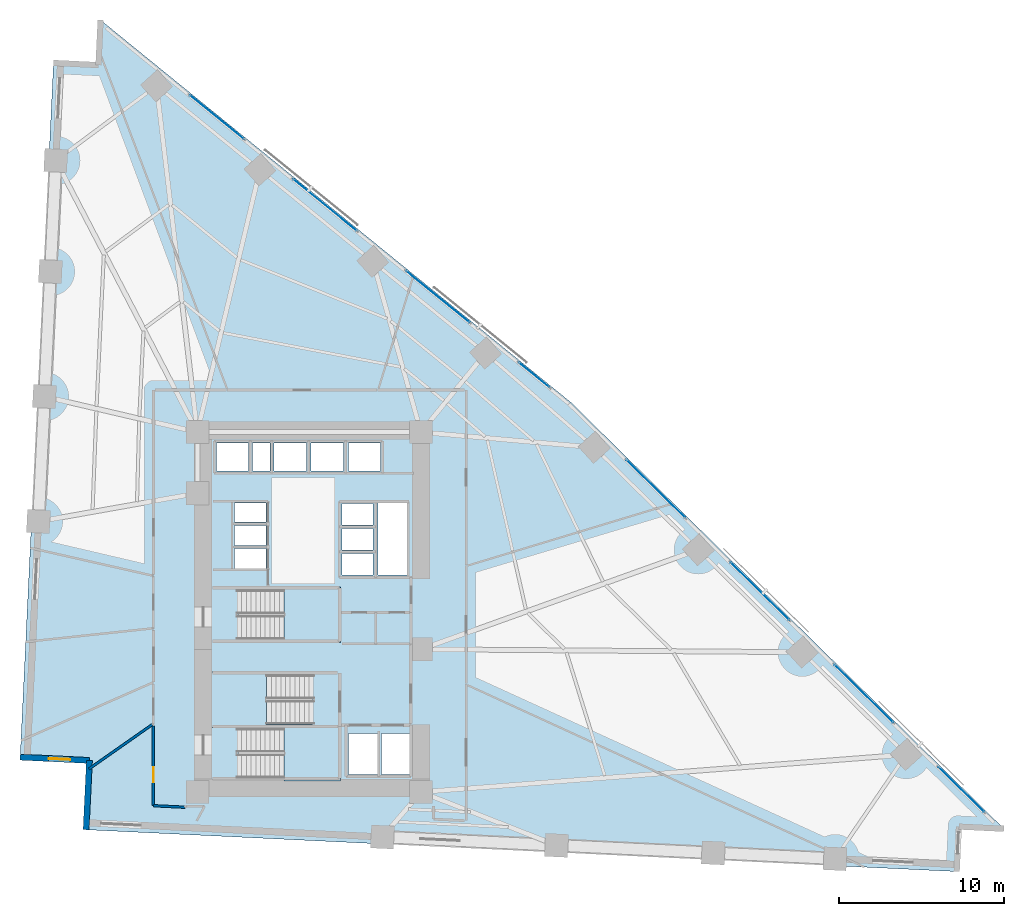
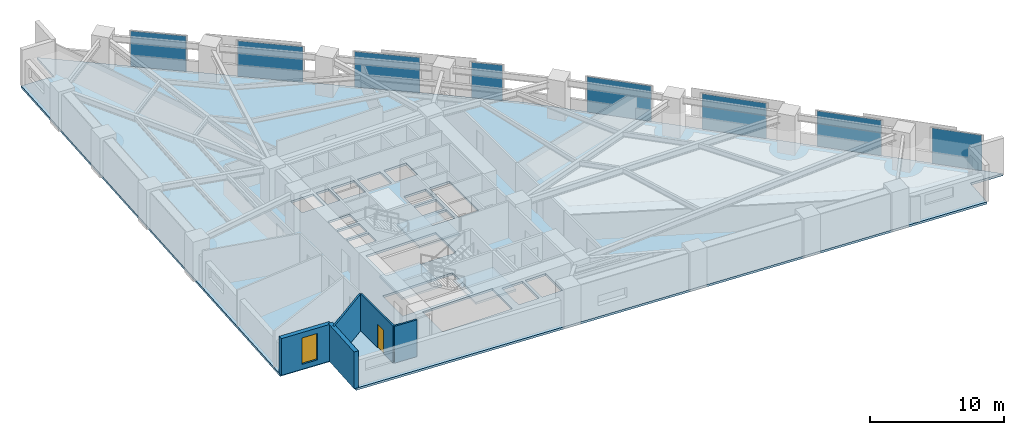
# One storey, part 12 of 18: 8 plates, 5 walls, 4 slabs, 1 door, 1 window, 2 openings, 11 elements without a shape of their own.
"""IFC4 building model written with IfcOpenShell, lengths in metres."""

import ifcopenshell
import ifcopenshell.guid

model = None  # the IFC model being written
_history = None  # IfcOwnerHistory: only IFC2X3 demands one
_inside = {}  # id of a spatial element -> (the spatial element, [elements in it])
_under = {}  # id of a project, library or spatial element -> (it, [spatial elements below it])
_declared = {}  # id of a project -> (the project, [libraries it declares])
_typed = {}  # id of a type object -> (the type object, [elements of that type])
_made_of = {}  # id of a material, layer set ... -> (it, [elements and type objects made of it])


def new_model(schema):
    """Start an empty IFC model of exactly this schema.

    Asked for "IFC4X3", IfcOpenShell would pick the latest addendum, in which some entities
    have other attributes; the version numbers below select the first issue.
    IFC2X3 requires an IfcOwnerHistory on every rooted entity: one is made here for all.
    """
    global model, _history
    if schema == "IFC4X3":
        model = ifcopenshell.file(schema_version=(4, 3, 0, 0))
    else:
        model = ifcopenshell.file(schema=schema)
    _inside.clear()
    _under.clear()
    _declared.clear()
    _typed.clear()
    _made_of.clear()
    _history = None
    if model.schema == "IFC2X3":
        org = make("IfcOrganization", Name="unknown")
        user = make(
            "IfcPersonAndOrganization",
            ThePerson=make("IfcPerson", FamilyName="unknown"),
            TheOrganization=org,
        )
        app = make(
            "IfcApplication",
            ApplicationDeveloper=org,
            Version="unknown",
            ApplicationFullName="unknown",
            ApplicationIdentifier="unknown",
        )
        _history = make(
            "IfcOwnerHistory",
            OwningUser=user,
            OwningApplication=app,
            ChangeAction="ADDED",
            CreationDate=0,
        )
    return model


def make(cls, **values):
    """One entity of the class cls with the attributes given. An attribute that is None is left unset."""
    return model.create_entity(
        cls, **{name: value for name, value in values.items() if value is not None}
    )


def rooted(cls, **values):
    """An entity with a GlobalId (a new one), such as an element, a storey or a relation."""
    return make(cls, GlobalId=ifcopenshell.guid.new(), OwnerHistory=_history, **values)


def si_unit(unit_type, name, prefix=None):
    """IfcSIUnit, for example si_unit("LENGTHUNIT", "METRE", prefix="MILLI")."""
    return make("IfcSIUnit", UnitType=unit_type, Prefix=prefix, Name=name)


def assignment(units):
    """IfcUnitAssignment: the units of a project."""
    return None if units is None else make("IfcUnitAssignment", Units=units)


def point(xyz):
    """IfcCartesianPoint."""
    return None if xyz is None else make("IfcCartesianPoint", Coordinates=xyz)


def direction(xyz):
    """IfcDirection."""
    return None if xyz is None else make("IfcDirection", DirectionRatios=xyz)


def frame(location, z_axis=None, x_axis=None):
    """IfcAxis2Placement3D, a coordinate frame: its origin and axes. An axis left out is left unset."""
    return make(
        "IfcAxis2Placement3D",
        Location=point(location),
        Axis=direction(z_axis),
        RefDirection=direction(x_axis),
    )


def frame_2d(location, x_axis=None):
    """IfcAxis2Placement2D, a coordinate frame in the plane: its origin and x axis."""
    return make(
        "IfcAxis2Placement2D", Location=point(location), RefDirection=direction(x_axis)
    )


def origin():
    """The frame at (0, 0, 0) with its axes left unset."""
    return frame((0.0, 0.0, 0.0))


def origin_2d():
    """The frame at (0, 0) in the plane with its x axis left unset."""
    return frame_2d((0.0, 0.0))


def place(relative_to, where):
    """IfcLocalPlacement: puts the frame where relative to a parent placement (None: the world)."""
    return make(
        "IfcLocalPlacement", PlacementRelTo=relative_to, RelativePlacement=where
    )


def context(
    kind, dimensions, precision=None, world=None, true_north=None, identifier=None
):
    """IfcGeometricRepresentationContext, for example the 3D "Model" context."""
    return make(
        "IfcGeometricRepresentationContext",
        ContextIdentifier=identifier,
        ContextType=kind,
        CoordinateSpaceDimension=dimensions,
        Precision=precision,
        WorldCoordinateSystem=world,
        TrueNorth=true_north,
    )


def subcontext(parent, identifier, kind, view, scale=None):
    """IfcGeometricRepresentationSubContext, for example "Body" below "Model"."""
    return make(
        "IfcGeometricRepresentationSubContext",
        ContextIdentifier=identifier,
        ContextType=kind,
        ParentContext=parent,
        TargetScale=scale,
        TargetView=view,
    )


def project(units=None, contexts=None):
    """IfcProject with its units and contexts."""
    return rooted(
        "IfcProject",
        Name="project",
        RepresentationContexts=contexts,
        UnitsInContext=assignment(units),
    )


def spatial(cls, under=None, at=None, **own):
    """A site, building, storey or space (cls), placed at a placement, below another one or the project."""
    s = rooted(cls, ObjectPlacement=at, **own)
    if under is not None:
        _under.setdefault(under.id(), (under, []))[1].append(s)
    return s


def polyline(points):
    """IfcPolyline through the points."""
    return make("IfcPolyline", Points=[point(p) for p in points])


def profile(cls, at=None, kind="AREA", **sizes):
    """A parametric profile (cls). Its sizes go by their IFC names, for example OverallWidth=200.0."""
    return make(cls, ProfileType=kind, Position=at, **sizes)


def rectangle(**sizes):
    """IfcRectangleProfileDef."""
    return profile("IfcRectangleProfileDef", **sizes)


def outline(outer, holes=None, kind="AREA"):
    """IfcArbitraryClosedProfileDef: a profile drawn as a closed curve; with holes, ...WithVoids."""
    if holes is None:
        return make("IfcArbitraryClosedProfileDef", ProfileType=kind, OuterCurve=outer)
    return make(
        "IfcArbitraryProfileDefWithVoids",
        ProfileType=kind,
        OuterCurve=outer,
        InnerCurves=holes,
    )


def extrude(swept, where, along, depth):
    """IfcExtrudedAreaSolid: the profile swept, set in the frame where, extruded along a direction by depth."""
    return make(
        "IfcExtrudedAreaSolid",
        SweptArea=swept,
        Position=where,
        ExtrudedDirection=direction(along),
        Depth=depth,
    )


def shape(context_of_items, identifier, shape_type, items):
    """IfcShapeRepresentation: the items that make up one representation, for example the "Body"."""
    return make(
        "IfcShapeRepresentation",
        ContextOfItems=context_of_items,
        RepresentationIdentifier=identifier,
        RepresentationType=shape_type,
        Items=items,
    )


def material(Name=None, Category=None):
    """IfcMaterial."""
    return make("IfcMaterial", Name=Name, Category=Category)


def layer(
    of_material, thickness, ventilated=None, Name=None, Category=None, Priority=None
):
    """IfcMaterialLayer: one layer of a wall or slab, of a material (None: an air gap)."""
    return make(
        "IfcMaterialLayer",
        Material=of_material,
        LayerThickness=thickness,
        IsVentilated=ventilated,
        Name=Name,
        Category=Category,
        Priority=Priority,
    )


def layer_set(layers, Name=None):
    """IfcMaterialLayerSet."""
    return make("IfcMaterialLayerSet", MaterialLayers=layers, LayerSetName=Name)


def made_of(thing, what):
    """Note that an element or type object is made of a material, layer set ...; save() writes the relation."""
    if what is not None:
        _made_of.setdefault(what.id(), (what, []))[1].append(thing)
    return thing


def type_object(cls, material=None, **own):
    """A type object (cls), such as IfcWallType, which elements share."""
    return made_of(rooted(cls, **own), material)


def element(
    cls,
    number,
    at=None,
    inside=None,
    cuts=None,
    type_object=None,
    material=None,
    context=None,
    identifier="Body",
    shape_type=None,
    held_by="IfcProductDefinitionShape",
    body=None,
    shapes=None,
    **own,
):
    """One element of the class cls, such as IfcWall. Its Tag is "e" and its number.

    at: its placement. inside: the storey or other place that contains it. cuts: it is an
    opening in that element (IfcRelVoidsElement). A single representation is given by context,
    identifier, shape_type and body (its items); several are given by shapes. held_by: the class
    of the entity that holds the representations. save() writes the other relations.
    """
    e = rooted(cls, Tag="e%d" % number, ObjectPlacement=at, **own)
    if body is not None:
        shapes = [shape(context, identifier, shape_type, body)]
    if shapes is not None:
        e.Representation = make(held_by, Representations=shapes)
    if inside is not None:
        _inside.setdefault(inside.id(), (inside, []))[1].append(e)
    if cuts is not None:
        rooted(
            "IfcRelVoidsElement", RelatingBuildingElement=cuts, RelatedOpeningElement=e
        )
    if type_object is not None:
        _typed.setdefault(type_object.id(), (type_object, []))[1].append(e)
    return made_of(e, material)


def fill(opening, filler):
    """IfcRelFillsElement: the door or window that sits in an opening."""
    return rooted(
        "IfcRelFillsElement",
        RelatingOpeningElement=opening,
        RelatedBuildingElement=filler,
    )


def aggregate(whole, parts):
    """IfcRelAggregates: a whole, such as a stair, and the parts it consists of."""
    return rooted("IfcRelAggregates", RelatingObject=whole, RelatedObjects=parts)


def save(model, path):
    """Write the relations noted so far, then the file.

    IfcRelAggregates (storeys below a building ...), IfcRelContainedInSpatialStructure (elements
    in a storey), IfcRelDefinesByType, IfcRelAssociatesMaterial and IfcRelDeclares: one each for
    every whole, place, type object, material and project.
    """
    for whole, parts in _under.values():
        aggregate(whole, parts)
    for where, things in _inside.values():
        rooted(
            "IfcRelContainedInSpatialStructure",
            RelatedElements=things,
            RelatingStructure=where,
        )
    for kind, things in _typed.values():
        rooted("IfcRelDefinesByType", RelatedObjects=things, RelatingType=kind)
    for what, things in _made_of.values():
        rooted("IfcRelAssociatesMaterial", RelatedObjects=things, RelatingMaterial=what)
    for by, libraries in _declared.values():
        rooted("IfcRelDeclares", RelatingContext=by, RelatedDefinitions=libraries)
    model.write(path)


model = new_model("IFC4")

# Units and contexts
model_context = context("Model", 3, precision=1e-05, world=origin(), true_north=direction((0.0, 1.0)))
body_context = subcontext(model_context, "Body", "Model", "MODEL_VIEW")
ifc_project = project(units=[si_unit("LENGTHUNIT", "METRE"), si_unit("AREAUNIT", "SQUARE_METRE"), si_unit("VOLUMEUNIT", "CUBIC_METRE"), si_unit("PLANEANGLEUNIT", "RADIAN"), si_unit("MASSUNIT", "GRAM", prefix="KILO")], contexts=[model_context])

# Site, building, storey
site_placement = place(None, origin())
site = spatial("IfcSite", under=ifc_project, at=site_placement, CompositionType="ELEMENT")
building_placement = place(site_placement, origin())
building = spatial("IfcBuilding", under=site, at=building_placement, Name="Narakoshi Arena Tower", CompositionType="ELEMENT")
storey_placement = place(building_placement, frame((0.0, 0.0, 44.699951171875)))
storey = spatial("IfcBuildingStorey", under=building, at=storey_placement, Name="L11", CompositionType="ELEMENT", Elevation=44.699951171875)

# Curtain wall, plate
ifc_material_1 = material(Name="Anodised bronze aluminium 6063-T6", Category="aluminium")
curtain_wall_type = type_object("IfcCurtainWallType", Name="CW-HYP-LOW", PredefinedType="NOTDEFINED", material=ifc_material_1)
curtain_wall_1_placement = place(storey_placement, origin())
curtain_wall_1 = element("IfcCurtainWall", 1, at=curtain_wall_1_placement, inside=storey, type_object=curtain_wall_type, Name="L11 Folded Hypotenuse Curtain Wall 1-1", PredefinedType="NOTDEFINED")
ifc_material_2 = material(Name="Bronze-tinted low-E laminated glass", Category="glass")
ifc_layer_1 = layer(ifc_material_2, 0.031982421875)
ifc_layer_set_1 = layer_set([ifc_layer_1], Name="Bronze-tinted low-E laminated glass")
plate_type = type_object("IfcPlateType", Name="PLT-GLZ-32", PredefinedType="CURTAIN_PANEL", material=ifc_layer_set_1)
plate_1_placement = place(storey_placement, frame((118.277587890625, 34.8505859375, 0.065185546875), z_axis=(0.0, 0.0, 1.0), x_axis=(-0.712541277695, 0.701630192894, 0.0)))
plate_1 = element("IfcPlate", 2, at=plate_1_placement, type_object=plate_type, Name="CW-01 panel 1.1", PredefinedType="CURTAIN_PANEL", context=body_context, shape_type="SweptSolid", body=[
    extrude(rectangle(XDim=3.85498046875, YDim=0.031982421875, at=origin_2d()), origin(), (0.0, 0.0, 1.0), 3.2099609375),
])
aggregate(curtain_wall_1, [plate_1])

curtain_wall_2_placement = place(storey_placement, origin())
curtain_wall_2 = element("IfcCurtainWall", 3, at=curtain_wall_2_placement, inside=storey, type_object=curtain_wall_type, Name="L11 Folded Hypotenuse Curtain Wall 1-2", PredefinedType="NOTDEFINED")
plate_2_placement = place(storey_placement, frame((112.375, 40.66259765625, 0.065185546875), z_axis=(0.0, 0.0, 1.0), x_axis=(-0.712548329451, 0.701623031404, 0.0)))
plate_2 = element("IfcPlate", 4, at=plate_2_placement, type_object=plate_type, Name="CW-01 panel 1.1", PredefinedType="CURTAIN_PANEL", context=body_context, shape_type="SweptSolid", body=[
    extrude(rectangle(XDim=4.966552734375, YDim=0.031982421875, at=origin_2d()), origin(), (0.0, 0.0, 1.0), 3.2099609375),
])
aggregate(curtain_wall_2, [plate_2])

curtain_wall_3_placement = place(storey_placement, origin())
curtain_wall_3 = element("IfcCurtainWall", 5, at=curtain_wall_3_placement, inside=storey, type_object=curtain_wall_type, Name="L11 Folded Hypotenuse Curtain Wall 1-3", PredefinedType="NOTDEFINED")
plate_3_placement = place(storey_placement, frame((106.07666015625, 46.864501953125, 0.065185546875), z_axis=(0.0, 0.0, 1.0), x_axis=(-0.712538708053, 0.701632802488, 0.0)))
plate_3 = element("IfcPlate", 6, at=plate_3_placement, type_object=plate_type, Name="CW-01 panel 1.1", PredefinedType="CURTAIN_PANEL", context=body_context, shape_type="SweptSolid", body=[
    extrude(rectangle(XDim=4.966552734375, YDim=0.031982421875, at=origin_2d()), origin(), (0.0, 0.0, 1.0), 3.2099609375),
])
aggregate(curtain_wall_3, [plate_3])

curtain_wall_4_placement = place(storey_placement, origin())
curtain_wall_4 = element("IfcCurtainWall", 7, at=curtain_wall_4_placement, inside=storey, type_object=curtain_wall_type, Name="L11 Folded Hypotenuse Curtain Wall 1-4", PredefinedType="NOTDEFINED")
plate_4_placement = place(storey_placement, frame((99.7783203125, 53.06640625, 0.065185546875), z_axis=(0.0, 0.0, 1.0), x_axis=(-0.712538708053, 0.701632802488, 0.0)))
plate_4 = element("IfcPlate", 8, at=plate_4_placement, type_object=plate_type, Name="CW-01 panel 1.1", PredefinedType="CURTAIN_PANEL", context=body_context, shape_type="SweptSolid", body=[
    extrude(rectangle(XDim=4.966552734375, YDim=0.031982421875, at=origin_2d()), origin(), (0.0, 0.0, 1.0), 3.2099609375),
])
aggregate(curtain_wall_4, [plate_4])

curtain_wall_5_placement = place(storey_placement, origin())
curtain_wall_5 = element("IfcCurtainWall", 9, at=curtain_wall_5_placement, inside=storey, type_object=curtain_wall_type, Name="L11 Folded Hypotenuse Curtain Wall 2-1", PredefinedType="NOTDEFINED")
plate_5_placement = place(storey_placement, frame((92.40087890625, 59.964111328125, 0.065185546875), z_axis=(0.0, 0.0, 1.0), x_axis=(-0.776007918256, 0.63072316495, 0.0)))
plate_5 = element("IfcPlate", 10, at=plate_5_placement, type_object=plate_type, Name="CW-01 panel 1.1", PredefinedType="CURTAIN_PANEL", context=body_context, shape_type="SweptSolid", body=[
    extrude(rectangle(XDim=2.35888671875, YDim=0.031982421875, at=origin_2d()), origin(), (0.0, 0.0, 1.0), 3.2099609375),
])
aggregate(curtain_wall_5, [plate_5])

curtain_wall_6_placement = place(storey_placement, origin())
curtain_wall_6 = element("IfcCurtainWall", 11, at=curtain_wall_6_placement, inside=storey, type_object=curtain_wall_type, Name="L11 Folded Hypotenuse Curtain Wall 2-2", PredefinedType="NOTDEFINED")
plate_6_placement = place(storey_placement, frame((86.566650390625, 64.7060546875, 0.065185546875), z_axis=(0.0, 0.0, 1.0), x_axis=(-0.775998434519, 0.630734833051, 0.0)))
plate_6 = element("IfcPlate", 12, at=plate_6_placement, type_object=plate_type, Name="CW-01 panel 1.1", PredefinedType="CURTAIN_PANEL", context=body_context, shape_type="SweptSolid", body=[
    extrude(rectangle(XDim=4.932373046875, YDim=0.031982421875, at=origin_2d()), origin(), (0.0, 0.0, 1.0), 3.2099609375),
])
aggregate(curtain_wall_6, [plate_6])

curtain_wall_7_placement = place(storey_placement, origin())
curtain_wall_7 = element("IfcCurtainWall", 13, at=curtain_wall_7_placement, inside=storey, type_object=curtain_wall_type, Name="L11 Folded Hypotenuse Curtain Wall 2-3", PredefinedType="NOTDEFINED")
plate_7_placement = place(storey_placement, frame((79.73388671875, 70.259765625, 0.065185546875), z_axis=(0.0, 0.0, 1.0), x_axis=(-0.776008064665, 0.630722984816, 0.0)))
plate_7 = element("IfcPlate", 14, at=plate_7_placement, type_object=plate_type, Name="CW-01 panel 1.1", PredefinedType="CURTAIN_PANEL", context=body_context, shape_type="SweptSolid", body=[
    extrude(rectangle(XDim=4.932373046875, YDim=0.031982421875, at=origin_2d()), origin(), (0.0, 0.0, 1.0), 3.2099609375),
])
aggregate(curtain_wall_7, [plate_7])

curtain_wall_8_placement = place(storey_placement, origin())
curtain_wall_8 = element("IfcCurtainWall", 15, at=curtain_wall_8_placement, inside=storey, type_object=curtain_wall_type, Name="L11 Folded Hypotenuse Curtain Wall 2-4", PredefinedType="NOTDEFINED")
plate_8_placement = place(storey_placement, frame((73.18603515625, 75.58203125, 0.065185546875), z_axis=(0.0, 0.0, 1.0), x_axis=(-0.775999332044, 0.630733728817, 0.0)))
plate_8 = element("IfcPlate", 16, at=plate_8_placement, type_object=plate_type, Name="CW-01 panel 1.1", PredefinedType="CURTAIN_PANEL", context=body_context, shape_type="SweptSolid", body=[
    extrude(rectangle(XDim=4.198486328125, YDim=0.031982421875, at=origin_2d()), origin(), (0.0, 0.0, 1.0), 3.2099609375),
])
aggregate(curtain_wall_8, [plate_8])

# Stair, slab
ifc_material_3 = material(Name="Concrete C45/55", Category="concrete")
stair_type = type_object("IfcStairType", Name="STR-CORE-360", PredefinedType="TWO_STRAIGHT_RUN_STAIR", material=ifc_material_3)
stair_1_placement = place(storey_placement, origin())
stair_1 = element("IfcStair", 17, at=stair_1_placement, inside=storey, type_object=stair_type, Name="L11 Core Escape Stair ST1", PredefinedType="TWO_STRAIGHT_RUN_STAIR")
ifc_layer_2 = layer(ifc_material_3, 0.18994140625)
ifc_layer_set_2 = layer_set([ifc_layer_2], Name="Concrete C45/55")
slab_type_1 = type_object("IfcSlabType", Name="SLB-LND-190", PredefinedType="LANDING", material=ifc_layer_set_2)
slab_1_placement = place(storey_placement, frame((0.0, 0.0, 1.610107421875)))
slab_1 = element("IfcSlab", 18, at=slab_1_placement, type_object=slab_type_1, Name="ST1 landing 1", PredefinedType="LANDING", context=body_context, shape_type="SweptSolid", body=[
    extrude(outline(polyline([(77.25, 35.3701171875), (80.679931640625, 35.3701171875), (80.679931640625, 38.72998046875), (77.25, 38.72998046875), (77.25, 35.3701171875)])), origin(), (0.0, 0.0, 1.0), 0.18994140625),
])
aggregate(stair_1, [slab_1])

stair_2_placement = place(storey_placement, origin())
stair_2 = element("IfcStair", 19, at=stair_2_placement, inside=storey, type_object=stair_type, Name="L11 Core Escape Stair ST2", PredefinedType="TWO_STRAIGHT_RUN_STAIR")
slab_2_placement = place(storey_placement, frame((0.0, 0.0, 1.610107421875)))
slab_2 = element("IfcSlab", 20, at=slab_2_placement, type_object=slab_type_1, Name="ST2 landing 1", PredefinedType="LANDING", context=body_context, shape_type="SweptSolid", body=[
    extrude(outline(polyline([(72.77001953125, 38.6201171875), (76.199951171875, 38.6201171875), (76.199951171875, 41.97998046875), (72.77001953125, 41.97998046875), (72.77001953125, 38.6201171875)])), origin(), (0.0, 0.0, 1.0), 0.18994140625),
])
aggregate(stair_2, [slab_2])

stair_3_placement = place(storey_placement, origin())
stair_3 = element("IfcStair", 21, at=stair_3_placement, inside=storey, type_object=stair_type, Name="L11 Core Escape Stair ST3", PredefinedType="TWO_STRAIGHT_RUN_STAIR")
slab_3_placement = place(storey_placement, frame((0.0, 0.0, 1.610107421875)))
slab_3 = element("IfcSlab", 22, at=slab_3_placement, type_object=slab_type_1, Name="ST3 landing 1", PredefinedType="LANDING", context=body_context, shape_type="SweptSolid", body=[
    extrude(outline(polyline([(77.25, 43.77001953125), (80.679931640625, 43.77001953125), (80.679931640625, 47.1298828125), (77.25, 47.1298828125), (77.25, 43.77001953125)])), origin(), (0.0, 0.0, 1.0), 0.18994140625),
])
aggregate(stair_3, [slab_3])

# Slab
ifc_layer_3 = layer(ifc_material_3, 0.199951171875)
ifc_layer_set_3 = layer_set([ifc_layer_3], Name="Concrete C45/55")
slab_type_2 = type_object("IfcSlabType", Name="SLB-TWR-200", PredefinedType="FLOOR", material=ifc_layer_set_3)
slab_4_placement = place(storey_placement, frame((0.0, 0.0, -0.199951171875)))
element("IfcSlab", 23, at=slab_4_placement, inside=storey, type_object=slab_type_2, Name="L11 Structural Floor Slab", PredefinedType="FLOOR", context=body_context, shape_type="SweptSolid", body=[
    extrude(outline(polyline([(65.26025390625, 32.416015625), (117.99951171875, 29.8828125), (118.130615234375, 32.609619140625), (120.857421875, 32.478515625), (94.614013671875, 58.31982421875), (66.144287109375, 81.4599609375), (66.013427734375, 78.733154296875), (63.28662109375, 78.8642578125), (61.2666015625, 36.8125), (65.4619140625, 36.611083984375), (65.26025390625, 32.416015625)]), holes=[polyline([(74.47998046875, 35.550048828125), (74.47998046875, 38.550048828125), (80.5, 38.550048828125), (80.5, 35.550048828125), (74.47998046875, 35.550048828125)]), polyline([(81.14990234375, 35.75), (81.14990234375, 38.25), (82.89990234375, 38.25), (82.89990234375, 35.75), (81.14990234375, 35.75)]), polyline([(83.14990234375, 35.75), (83.14990234375, 38.25), (84.89990234375, 38.25), (84.89990234375, 35.75), (83.14990234375, 35.75)]), polyline([(72.949951171875, 38.800048828125), (72.949951171875, 41.800048828125), (78.969970703125, 41.800048828125), (78.969970703125, 38.800048828125), (72.949951171875, 38.800048828125)]), polyline([(74.47998046875, 43.949951171875), (74.47998046875, 46.949951171875), (80.5, 46.949951171875), (80.5, 43.949951171875), (74.47998046875, 43.949951171875)]), polyline([(82.949951171875, 47.840087890625), (82.949951171875, 52.199951171875), (84.699951171875, 52.199951171875), (84.699951171875, 47.840087890625), (82.949951171875, 47.840087890625)]), polyline([(80.75, 47.85009765625), (80.75, 49.14990234375), (82.64990234375, 49.14990234375), (82.64990234375, 47.85009765625), (80.75, 47.85009765625)]), polyline([(74.25, 48.25), (74.25, 49.449951171875), (76.14990234375, 49.449951171875), (76.14990234375, 48.25), (74.25, 48.25)]), polyline([(80.75, 49.3701171875), (80.75, 50.669921875), (82.64990234375, 50.669921875), (82.64990234375, 49.3701171875), (80.75, 49.3701171875)]), polyline([(74.25, 49.64990234375), (74.25, 50.85009765625), (76.14990234375, 50.85009765625), (76.14990234375, 49.64990234375), (74.25, 49.64990234375)]), polyline([(80.75, 50.889892578125), (80.75, 52.18994140625), (82.64990234375, 52.18994140625), (82.64990234375, 50.889892578125), (80.75, 50.889892578125)]), polyline([(74.25, 51.050048828125), (74.25, 52.2099609375), (76.14990234375, 52.2099609375), (76.14990234375, 51.050048828125), (74.25, 51.050048828125)]), polyline([(73.14990234375, 54.14990234375), (73.14990234375, 55.85009765625), (75.10009765625, 55.85009765625), (75.10009765625, 54.14990234375), (73.14990234375, 54.14990234375)]), polyline([(75.35009765625, 54.14990234375), (75.35009765625, 55.85009765625), (76.39990234375, 55.85009765625), (76.39990234375, 54.14990234375), (75.35009765625, 54.14990234375)]), polyline([(76.64990234375, 54.14990234375), (76.64990234375, 55.85009765625), (78.60009765625, 55.85009765625), (78.60009765625, 54.14990234375), (76.64990234375, 54.14990234375)]), polyline([(78.89990234375, 55.85009765625), (80.85009765625, 55.85009765625), (80.85009765625, 54.14990234375), (78.89990234375, 54.14990234375), (78.89990234375, 55.85009765625)]), polyline([(81.14990234375, 55.85009765625), (83.10009765625, 55.85009765625), (83.10009765625, 54.14990234375), (81.14990234375, 54.14990234375), (81.14990234375, 55.85009765625)])]), origin(), (0.0, 0.0, 1.0), 0.199951171875),
])

# Wall, opening, window
ifc_material_4 = material(Name="Precast concrete C45/55", Category="concrete")
ifc_layer_4 = layer(ifc_material_4, 0.419921875)
ifc_layer_set_4 = layer_set([ifc_layer_4], Name="Precast concrete C45/55")
wall_type_1 = type_object("IfcWallType", Name="WL-POD-420", PredefinedType="SOLIDWALL", material=ifc_layer_set_4)
wall_1_placement = place(storey_placement, frame((61.2666015625, 36.8125, 0.0), z_axis=(0.0, 0.0, 1.0), x_axis=(0.998849519138, -0.047954542207, 0.0)))
wall_1 = element("IfcWall", 24, at=wall_1_placement, inside=storey, type_object=wall_type_1, Name="L11 Re-Entrant Corner Notch Wall NTA-1", PredefinedType="SOLIDWALL", context=body_context, shape_type="SweptSolid", body=[
    extrude(rectangle(XDim=4.2001953125, YDim=0.360107421875, at=frame_2d((2.10009765625, 0.0))), origin(), (0.0, 0.0, 1.0), 3.340087890625),
])
opening_1_placement = place(wall_1_placement, frame((1.7275390625, 0.0, 0.449951171875)))
opening_1 = element("IfcOpeningElement", 25, at=opening_1_placement, cuts=wall_1, Name="Opening WN-06", PredefinedType="OPENING", context=body_context, shape_type="SweptSolid", body=[
    extrude(rectangle(XDim=1.300048828125, YDim=2.39990234375, at=frame_2d((0.64990234375, 1.199951171875))), frame((0.0, 0.18994140625, 0.0), z_axis=(0.0, -1.0, 0.0), x_axis=(1.0, 0.0, 0.0)), (0.0, 0.0, 1.0), 0.380126953125),
])
window_type = type_object("IfcWindowType", Name="WIN-NTC-16x24", PartitioningType="SINGLE_PANEL", PredefinedType="WINDOW", material=ifc_material_2)
window_placement = place(opening_1_placement, origin())
window = element("IfcWindow", 26, at=window_placement, inside=storey, type_object=window_type, Name="L11 Corner Notch Window NTA", OverallHeight=2.39990234375, OverallWidth=1.300048828125, PartitioningType="SINGLE_PANEL", PredefinedType="WINDOW", context=body_context, shape_type="SweptSolid", body=[
    extrude(rectangle(XDim=1.300048828125, YDim=2.39990234375, at=frame_2d((0.64990234375, 1.199951171875))), frame((0.0, 0.030029296875, 0.0), z_axis=(0.0, -1.0, 0.0), x_axis=(1.0, 0.0, 0.0)), (0.0, 0.0, 1.0), 0.06005859375),
])
fill(opening_1, window)

# Walls
wall_2_placement = place(storey_placement, frame((65.4619140625, 36.611083984375, 0.0), z_axis=(0.0, 0.0, 1.0), x_axis=(-0.048015322758, -0.998846599224, 0.0)))
element("IfcWall", 27, at=wall_2_placement, inside=storey, type_object=wall_type_1, Name="L11 Re-Entrant Corner Notch Wall NTA-2", PredefinedType="SOLIDWALL", context=body_context, shape_type="SweptSolid", body=[
    extrude(rectangle(XDim=4.199951171875, YDim=0.360107421875, at=frame_2d((2.10009765625, 0.0))), origin(), (0.0, 0.0, 1.0), 3.340087890625),
])
ifc_material_5 = material(Name="Moisture-resistant cement-board partition")
ifc_layer_5 = layer(ifc_material_5, 0.14501953125)
ifc_layer_set_5 = layer_set([ifc_layer_5], Name="Moisture-resistant cement-board partition")
wall_type_2 = type_object("IfcWallType", Name="WL-WET-145", PredefinedType="PARTITIONING", material=ifc_layer_set_5)
wall_3_placement = place(storey_placement, frame((69.264892578125, 38.78369140625, 0.0), z_axis=(0.0, 0.0, 1.0), x_axis=(-0.8190576131, -0.573711274443, 0.0)))
element("IfcWall", 28, at=wall_3_placement, inside=storey, type_object=wall_type_2, Name="L11 Inter-Room Partition 03-04", PredefinedType="PARTITIONING", context=body_context, shape_type="SweptSolid", body=[
    extrude(rectangle(XDim=4.6728515625, YDim=0.14501953125, at=frame_2d((2.33642578125, 0.0))), origin(), (0.0, 0.0, 1.0), 3.340087890625),
])

# Wall, opening, door
wall_4_placement = place(storey_placement, frame((69.340087890625, 38.701904296875, 0.0), z_axis=(0.0, 0.0, 1.0), x_axis=(0.0, -1.0, 0.0)))
wall_4 = element("IfcWall", 29, at=wall_4_placement, inside=storey, type_object=wall_type_2, Name="L11 Corridor Partition 04-1", PredefinedType="PARTITIONING", context=body_context, shape_type="SweptSolid", body=[
    extrude(rectangle(XDim=4.830078125, YDim=0.14501953125, at=frame_2d((2.4150390625, 0.0))), origin(), (0.0, 0.0, 1.0), 3.340087890625),
])
opening_2_placement = place(wall_4_placement, frame((2.494384765625, 0.0, 0.0)))
opening_2 = element("IfcOpeningElement", 30, at=opening_2_placement, cuts=wall_4, Name="Opening D-08", PredefinedType="OPENING", context=body_context, shape_type="SweptSolid", body=[
    extrude(rectangle(XDim=0.89990234375, YDim=2.10009765625, at=frame_2d((0.449951171875, 1.050048828125))), frame((0.0, 0.08251953125, 0.0), z_axis=(0.0, -1.0, 0.0), x_axis=(1.0, 0.0, 0.0)), (0.0, 0.0, 1.0), 0.1650390625),
])
ifc_material_6 = material(Name="Moisture-resistant laminate timber", Category="wood")
door_type = type_object("IfcDoorType", Name="DR-WC-900", OperationType="NOTDEFINED", PredefinedType="DOOR", material=ifc_material_6)
door_placement = place(opening_2_placement, frame((0.89990234375, 0.0, 0.0), z_axis=(0.0, 0.0, 1.0), x_axis=(-1.0, 0.0, 0.0)))
door = element("IfcDoor", 31, at=door_placement, inside=storey, type_object=door_type, Name="DR-L11-017", OperationType="SINGLE_SWING_LEFT", OverallHeight=2.10009765625, OverallWidth=0.89990234375, PredefinedType="DOOR", context=body_context, shape_type="SweptSolid", body=[
    extrude(rectangle(XDim=0.89990234375, YDim=2.10009765625, at=frame_2d((0.449951171875, 1.050048828125))), frame((0.0, 0.02490234375, 0.0), z_axis=(0.0, -1.0, 0.0), x_axis=(1.0, 0.0, 0.0)), (0.0, 0.0, 1.0), 0.050048828125),
])
fill(opening_2, door)

# Wall
wall_5_placement = place(storey_placement, frame((69.340087890625, 33.871826171875, 0.0), z_axis=(0.0, 0.0, 1.0), x_axis=(0.998853066551, -0.047880595674, 0.0)))
element("IfcWall", 32, at=wall_5_placement, inside=storey, type_object=wall_type_2, Name="L11 Corridor Partition 04-2", PredefinedType="PARTITIONING", context=body_context, shape_type="SweptSolid", body=[
    extrude(rectangle(XDim=1.912109375, YDim=0.14501953125, at=frame_2d((0.9560546875, 0.0))), origin(), (0.0, 0.0, 1.0), 3.340087890625),
])

save(model, "model.ifc")
